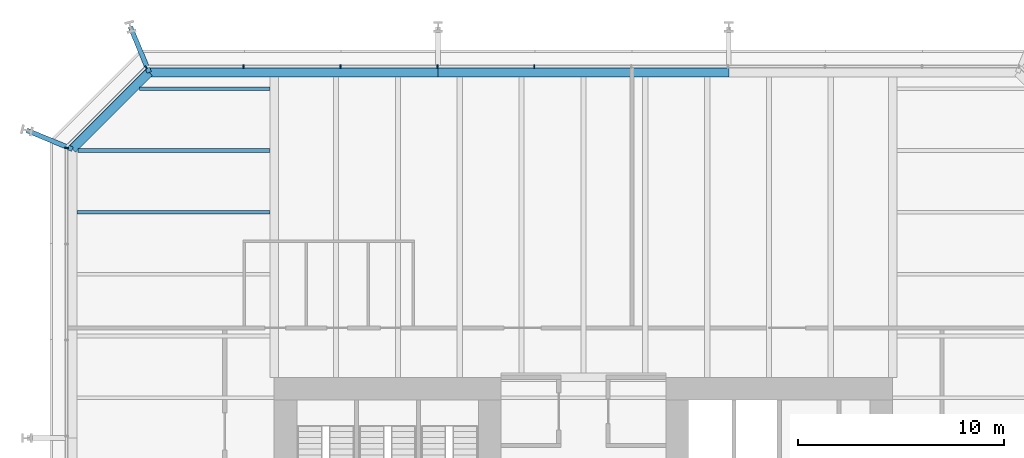
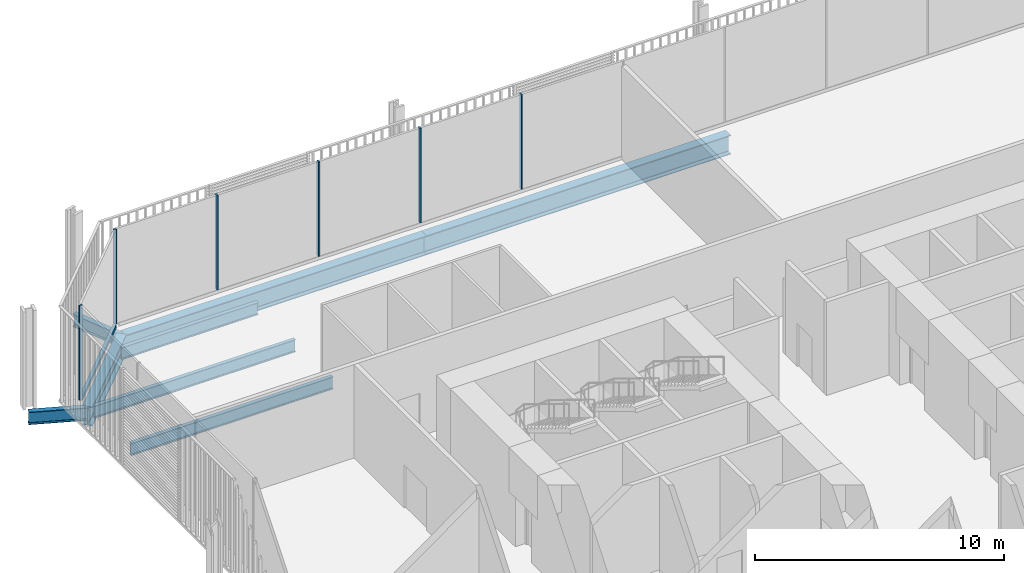
# One storey, part 14 of 25: 8 beams, 7 members, 3 elements without a shape of their own.
"""IFC4 building model written with IfcOpenShell, lengths in metres."""

import ifcopenshell
import ifcopenshell.guid

model = None  # the IFC model being written
_history = None  # IfcOwnerHistory: only IFC2X3 demands one
_inside = {}  # id of a spatial element -> (the spatial element, [elements in it])
_under = {}  # id of a project, library or spatial element -> (it, [spatial elements below it])
_declared = {}  # id of a project -> (the project, [libraries it declares])
_typed = {}  # id of a type object -> (the type object, [elements of that type])
_made_of = {}  # id of a material, layer set ... -> (it, [elements and type objects made of it])


def new_model(schema):
    """Start an empty IFC model of exactly this schema.

    Asked for "IFC4X3", IfcOpenShell would pick the latest addendum, in which some entities
    have other attributes; the version numbers below select the first issue.
    IFC2X3 requires an IfcOwnerHistory on every rooted entity: one is made here for all.
    """
    global model, _history
    if schema == "IFC4X3":
        model = ifcopenshell.file(schema_version=(4, 3, 0, 0))
    else:
        model = ifcopenshell.file(schema=schema)
    _inside.clear()
    _under.clear()
    _declared.clear()
    _typed.clear()
    _made_of.clear()
    _history = None
    if model.schema == "IFC2X3":
        org = make("IfcOrganization", Name="unknown")
        user = make(
            "IfcPersonAndOrganization",
            ThePerson=make("IfcPerson", FamilyName="unknown"),
            TheOrganization=org,
        )
        app = make(
            "IfcApplication",
            ApplicationDeveloper=org,
            Version="unknown",
            ApplicationFullName="unknown",
            ApplicationIdentifier="unknown",
        )
        _history = make(
            "IfcOwnerHistory",
            OwningUser=user,
            OwningApplication=app,
            ChangeAction="ADDED",
            CreationDate=0,
        )
    return model


def make(cls, **values):
    """One entity of the class cls with the attributes given. An attribute that is None is left unset."""
    return model.create_entity(
        cls, **{name: value for name, value in values.items() if value is not None}
    )


def rooted(cls, **values):
    """An entity with a GlobalId (a new one), such as an element, a storey or a relation."""
    return make(cls, GlobalId=ifcopenshell.guid.new(), OwnerHistory=_history, **values)


def si_unit(unit_type, name, prefix=None):
    """IfcSIUnit, for example si_unit("LENGTHUNIT", "METRE", prefix="MILLI")."""
    return make("IfcSIUnit", UnitType=unit_type, Prefix=prefix, Name=name)


def assignment(units):
    """IfcUnitAssignment: the units of a project."""
    return None if units is None else make("IfcUnitAssignment", Units=units)


def point(xyz):
    """IfcCartesianPoint."""
    return None if xyz is None else make("IfcCartesianPoint", Coordinates=xyz)


def direction(xyz):
    """IfcDirection."""
    return None if xyz is None else make("IfcDirection", DirectionRatios=xyz)


def frame(location, z_axis=None, x_axis=None):
    """IfcAxis2Placement3D, a coordinate frame: its origin and axes. An axis left out is left unset."""
    return make(
        "IfcAxis2Placement3D",
        Location=point(location),
        Axis=direction(z_axis),
        RefDirection=direction(x_axis),
    )


def frame_2d(location, x_axis=None):
    """IfcAxis2Placement2D, a coordinate frame in the plane: its origin and x axis."""
    return make(
        "IfcAxis2Placement2D", Location=point(location), RefDirection=direction(x_axis)
    )


def origin():
    """The frame at (0, 0, 0) with its axes left unset."""
    return frame((0.0, 0.0, 0.0))


def origin_2d():
    """The frame at (0, 0) in the plane with its x axis left unset."""
    return frame_2d((0.0, 0.0))


def place(relative_to, where):
    """IfcLocalPlacement: puts the frame where relative to a parent placement (None: the world)."""
    return make(
        "IfcLocalPlacement", PlacementRelTo=relative_to, RelativePlacement=where
    )


def context(
    kind, dimensions, precision=None, world=None, true_north=None, identifier=None
):
    """IfcGeometricRepresentationContext, for example the 3D "Model" context."""
    return make(
        "IfcGeometricRepresentationContext",
        ContextIdentifier=identifier,
        ContextType=kind,
        CoordinateSpaceDimension=dimensions,
        Precision=precision,
        WorldCoordinateSystem=world,
        TrueNorth=true_north,
    )


def subcontext(parent, identifier, kind, view, scale=None):
    """IfcGeometricRepresentationSubContext, for example "Body" below "Model"."""
    return make(
        "IfcGeometricRepresentationSubContext",
        ContextIdentifier=identifier,
        ContextType=kind,
        ParentContext=parent,
        TargetScale=scale,
        TargetView=view,
    )


def project(units=None, contexts=None):
    """IfcProject with its units and contexts."""
    return rooted(
        "IfcProject",
        Name="project",
        RepresentationContexts=contexts,
        UnitsInContext=assignment(units),
    )


def spatial(cls, under=None, at=None, **own):
    """A site, building, storey or space (cls), placed at a placement, below another one or the project."""
    s = rooted(cls, ObjectPlacement=at, **own)
    if under is not None:
        _under.setdefault(under.id(), (under, []))[1].append(s)
    return s


def profile(cls, at=None, kind="AREA", **sizes):
    """A parametric profile (cls). Its sizes go by their IFC names, for example OverallWidth=200.0."""
    return make(cls, ProfileType=kind, Position=at, **sizes)


def rectangle(**sizes):
    """IfcRectangleProfileDef."""
    return profile("IfcRectangleProfileDef", **sizes)


def i_section(**sizes):
    """IfcIShapeProfileDef."""
    return profile("IfcIShapeProfileDef", **sizes)


def extrude(swept, where, along, depth):
    """IfcExtrudedAreaSolid: the profile swept, set in the frame where, extruded along a direction by depth."""
    return make(
        "IfcExtrudedAreaSolid",
        SweptArea=swept,
        Position=where,
        ExtrudedDirection=direction(along),
        Depth=depth,
    )


def shape(context_of_items, identifier, shape_type, items):
    """IfcShapeRepresentation: the items that make up one representation, for example the "Body"."""
    return make(
        "IfcShapeRepresentation",
        ContextOfItems=context_of_items,
        RepresentationIdentifier=identifier,
        RepresentationType=shape_type,
        Items=items,
    )


def material(Name=None, Category=None):
    """IfcMaterial."""
    return make("IfcMaterial", Name=Name, Category=Category)


def layer(
    of_material, thickness, ventilated=None, Name=None, Category=None, Priority=None
):
    """IfcMaterialLayer: one layer of a wall or slab, of a material (None: an air gap)."""
    return make(
        "IfcMaterialLayer",
        Material=of_material,
        LayerThickness=thickness,
        IsVentilated=ventilated,
        Name=Name,
        Category=Category,
        Priority=Priority,
    )


def layer_set(layers, Name=None):
    """IfcMaterialLayerSet."""
    return make("IfcMaterialLayerSet", MaterialLayers=layers, LayerSetName=Name)


def material_profile(
    of_material, cross_section, Name=None, Category=None, Priority=None
):
    """IfcMaterialProfile: a cross section and its material."""
    return make(
        "IfcMaterialProfile",
        Name=Name,
        Material=of_material,
        Profile=cross_section,
        Priority=Priority,
        Category=Category,
    )


def profile_set(profiles, Name=None, composite=None):
    """IfcMaterialProfileSet."""
    return make(
        "IfcMaterialProfileSet",
        Name=Name,
        MaterialProfiles=profiles,
        CompositeProfile=composite,
    )


def made_of(thing, what):
    """Note that an element or type object is made of a material, layer set ...; save() writes the relation."""
    if what is not None:
        _made_of.setdefault(what.id(), (what, []))[1].append(thing)
    return thing


def type_object(cls, material=None, **own):
    """A type object (cls), such as IfcWallType, which elements share."""
    return made_of(rooted(cls, **own), material)


def element(
    cls,
    number,
    at=None,
    inside=None,
    cuts=None,
    type_object=None,
    material=None,
    context=None,
    identifier="Body",
    shape_type=None,
    held_by="IfcProductDefinitionShape",
    body=None,
    shapes=None,
    **own,
):
    """One element of the class cls, such as IfcWall. Its Tag is "e" and its number.

    at: its placement. inside: the storey or other place that contains it. cuts: it is an
    opening in that element (IfcRelVoidsElement). A single representation is given by context,
    identifier, shape_type and body (its items); several are given by shapes. held_by: the class
    of the entity that holds the representations. save() writes the other relations.
    """
    e = rooted(cls, Tag="e%d" % number, ObjectPlacement=at, **own)
    if body is not None:
        shapes = [shape(context, identifier, shape_type, body)]
    if shapes is not None:
        e.Representation = make(held_by, Representations=shapes)
    if inside is not None:
        _inside.setdefault(inside.id(), (inside, []))[1].append(e)
    if cuts is not None:
        rooted(
            "IfcRelVoidsElement", RelatingBuildingElement=cuts, RelatedOpeningElement=e
        )
    if type_object is not None:
        _typed.setdefault(type_object.id(), (type_object, []))[1].append(e)
    return made_of(e, material)


def aggregate(whole, parts):
    """IfcRelAggregates: a whole, such as a stair, and the parts it consists of."""
    return rooted("IfcRelAggregates", RelatingObject=whole, RelatedObjects=parts)


def save(model, path):
    """Write the relations noted so far, then the file.

    IfcRelAggregates (storeys below a building ...), IfcRelContainedInSpatialStructure (elements
    in a storey), IfcRelDefinesByType, IfcRelAssociatesMaterial and IfcRelDeclares: one each for
    every whole, place, type object, material and project.
    """
    for whole, parts in _under.values():
        aggregate(whole, parts)
    for where, things in _inside.values():
        rooted(
            "IfcRelContainedInSpatialStructure",
            RelatedElements=things,
            RelatingStructure=where,
        )
    for kind, things in _typed.values():
        rooted("IfcRelDefinesByType", RelatedObjects=things, RelatingType=kind)
    for what, things in _made_of.values():
        rooted("IfcRelAssociatesMaterial", RelatedObjects=things, RelatingMaterial=what)
    for by, libraries in _declared.values():
        rooted("IfcRelDeclares", RelatingContext=by, RelatedDefinitions=libraries)
    model.write(path)


model = new_model("IFC4")

# Units and contexts
model_context = context("Model", 3, precision=1e-05, world=origin(), true_north=direction((0.0, 1.0)))
body_context = subcontext(model_context, "Body", "Model", "MODEL_VIEW")
ifc_project = project(units=[si_unit("LENGTHUNIT", "METRE"), si_unit("AREAUNIT", "SQUARE_METRE"), si_unit("VOLUMEUNIT", "CUBIC_METRE"), si_unit("PLANEANGLEUNIT", "RADIAN"), si_unit("MASSUNIT", "GRAM", prefix="KILO")], contexts=[model_context])

# Site, building, storey
site_placement = place(None, origin())
site = spatial("IfcSite", under=ifc_project, at=site_placement, CompositionType="ELEMENT")
building_placement = place(site_placement, origin())
building = spatial("IfcBuilding", under=site, at=building_placement, Name="Millrace Tower", CompositionType="ELEMENT")
storey_placement = place(building_placement, frame((0.0, 0.0, 6.5)))
storey = spatial("IfcBuildingStorey", under=building, at=storey_placement, Name="L02", CompositionType="ELEMENT", Elevation=6.5)

# Curtain wall, members
ifc_material_1 = material(Name="Aluminium and glass", Category="aluminium")
ifc_layer = layer(ifc_material_1, 0.14990234375)
ifc_layer_set = layer_set([ifc_layer], Name="Aluminium and glass")
curtain_wall_type = type_object("IfcCurtainWallType", Name="CW-2 data hall insulated curtain wall", PredefinedType="NOTDEFINED", material=ifc_layer_set)
placement = place(storey_placement, origin())
curtain_wall_1 = element("IfcCurtainWall", 1, at=placement, inside=storey, type_object=curtain_wall_type, Name="Curtain wall AW2-F04 L02", PredefinedType="NOTDEFINED")
ifc_material_2 = material(Name="Aluminium", Category="aluminium")
ifc_material_profile_1 = material_profile(ifc_material_2, rectangle(XDim=0.06494140625, YDim=0.14990234375, at=origin_2d()))
ifc_profile_set_1 = profile_set([ifc_material_profile_1], Name="Aluminium")
member_type_1 = type_object("IfcMemberType", Name="CW-2 data hall insulated curtain wall mullion", PredefinedType="MULLION", material=ifc_profile_set_1)
member_1_placement = place(storey_placement, frame((-2.382568359375, 25.074951171875, 0.159912109375), z_axis=(0.0, 0.0, 1.0), x_axis=(-1.0, 0.0, 0.0)))
member_1 = element("IfcMember", 2, at=member_1_placement, type_object=member_type_1, Name="CW2 mullion AW2-F04.6", PredefinedType="MULLION", context=body_context, shape_type="SweptSolid", body=[
    extrude(rectangle(XDim=0.06494140625, YDim=0.14990234375, at=origin_2d()), origin(), (0.0, 0.0, 1.0), 4.64013671875),
])
member_2_placement = place(storey_placement, frame((-7.08251953125, 25.074951171875, 0.159912109375), z_axis=(0.0, 0.0, 1.0), x_axis=(-1.0, 0.0, 0.0)))
member_2 = element("IfcMember", 3, at=member_2_placement, type_object=member_type_1, Name="CW2 mullion AW2-F04.7", PredefinedType="MULLION", context=body_context, shape_type="SweptSolid", body=[
    extrude(rectangle(XDim=0.06494140625, YDim=0.14990234375, at=origin_2d()), origin(), (0.0, 0.0, 1.0), 4.64013671875),
])
member_3_placement = place(storey_placement, frame((-11.782470703125, 25.074951171875, 0.159912109375), z_axis=(0.0, 0.0, 1.0), x_axis=(-1.0, 0.0, 0.0)))
member_3 = element("IfcMember", 4, at=member_3_placement, type_object=member_type_1, Name="CW2 mullion AW2-F04.8", PredefinedType="MULLION", context=body_context, shape_type="SweptSolid", body=[
    extrude(rectangle(XDim=0.06494140625, YDim=0.14990234375, at=origin_2d()), origin(), (0.0, 0.0, 1.0), 4.64013671875),
])
member_4_placement = place(storey_placement, frame((-16.482421875, 25.074951171875, 0.159912109375), z_axis=(0.0, 0.0, 1.0), x_axis=(-1.0, 0.0, 0.0)))
member_4 = element("IfcMember", 5, at=member_4_placement, type_object=member_type_1, Name="CW2 mullion AW2-F04.9", PredefinedType="MULLION", context=body_context, shape_type="SweptSolid", body=[
    extrude(rectangle(XDim=0.06494140625, YDim=0.14990234375, at=origin_2d()), origin(), (0.0, 0.0, 1.0), 4.64013671875),
])
aggregate(curtain_wall_1, [member_1, member_2, member_3, member_4])

# Curtain wall, member
curtain_wall_2 = element("IfcCurtainWall", 6, at=placement, inside=storey, type_object=curtain_wall_type, Name="Curtain wall AW2-F05 L02", PredefinedType="NOTDEFINED")
member_5_placement = place(storey_placement, frame((-21.22607421875, 25.030029296875, 0.159912109375), z_axis=(0.0, 0.0, 1.0), x_axis=(-0.707106781187, -0.707106781187, 0.0)))
member_5 = element("IfcMember", 7, at=member_5_placement, type_object=member_type_1, Name="CW2 mullion AW2-F05.1", PredefinedType="MULLION", context=body_context, shape_type="SweptSolid", body=[
    extrude(rectangle(XDim=0.06494140625, YDim=0.14990234375, at=origin_2d()), origin(), (0.0, 0.0, 1.0), 4.64013671875),
])

curtain_wall_3 = element("IfcCurtainWall", 8, at=placement, inside=storey, type_object=curtain_wall_type, Name="Curtain wall AW2-F06 L02", PredefinedType="NOTDEFINED")
member_6_placement = place(storey_placement, frame((-25.074951171875, 21.117431640625, 0.159912109375), z_axis=(0.0, 0.0, 1.0), x_axis=(0.0, -1.0, 0.0)))
member_6 = element("IfcMember", 9, at=member_6_placement, type_object=member_type_1, Name="CW2 mullion AW2-F06.1", PredefinedType="MULLION", context=body_context, shape_type="SweptSolid", body=[
    extrude(rectangle(XDim=0.06494140625, YDim=0.14990234375, at=origin_2d()), origin(), (0.0, 0.0, 1.0), 4.64013671875),
])
aggregate(curtain_wall_3, [member_6])

# Member
ifc_material_3 = material(Name="Aluminium", Category="aluminium")
ifc_material_profile_2 = material_profile(ifc_material_3, rectangle(XDim=0.14990234375, YDim=0.159912109375, at=origin_2d()))
ifc_profile_set_2 = profile_set([ifc_material_profile_2], Name="Aluminium")
member_type_2 = type_object("IfcMemberType", Name="CW-2 data hall insulated curtain wall transom", PredefinedType="USERDEFINED", material=ifc_profile_set_2)
member_7_placement = place(storey_placement, frame((-21.273681640625, 24.982421875, 0.080078125), z_axis=(-0.707106781187, -0.707106781187, 0.0), x_axis=(0.707106781187, -0.707106781187, 0.0)))
member_7 = element("IfcMember", 10, at=member_7_placement, type_object=member_type_2, Name="CW2 transom AW2-F05.1", ObjectType="TRANSOM", PredefinedType="USERDEFINED", context=body_context, shape_type="SweptSolid", body=[
    extrude(rectangle(XDim=0.14990234375, YDim=0.159912109375, at=origin_2d()), origin(), (0.0, 0.0, 1.0), 5.244873046875),
])

aggregate(curtain_wall_2, [member_5, member_7])

# Beams
ifc_material_4 = material(Name="Steel ASTM A992 Grade 50", Category="steel")
ifc_material_profile_3 = material_profile(ifc_material_4, i_section(OverallWidth=0.177978515625, OverallDepth=0.599365234375, WebThickness=0.010009765625, FlangeThickness=0.012939453125, FilletRadius=0.012939453125, at=origin_2d()))
ifc_profile_set_3 = profile_set([ifc_material_profile_3], Name="Steel ASTM A992 Grade 50")
beam_type_1 = type_object("IfcBeamType", Name="Floor beam W24x55", PredefinedType="JOIST", material=ifc_profile_set_3)
beam_1_placement = place(storey_placement, frame((-21.52978515625, 24.0, -0.524658203125), z_axis=(1.0, 0.0, 0.0), x_axis=(0.0, 1.0, 0.0)))
element("IfcBeam", 11, at=beam_1_placement, inside=storey, type_object=beam_type_1, Name="BM-A-L02-S1-S050", PredefinedType="JOIST", context=body_context, shape_type="SweptSolid", body=[
    extrude(i_section(OverallWidth=0.177978515625, OverallDepth=0.599365234375, WebThickness=0.010009765625, FlangeThickness=0.012939453125, FilletRadius=0.012939453125, at=origin_2d()), origin(), (0.0, 0.0, 1.0), 6.317626953125),
])
ifc_material_5 = material(Name="Steel ASTM A992 Grade 50", Category="steel")
ifc_material_profile_4 = material_profile(ifc_material_5, i_section(OverallWidth=0.1787109375, OverallDepth=0.60205078125, WebThickness=0.010986328125, FlangeThickness=0.014892578125, FilletRadius=0.0126953125, at=origin_2d()))
ifc_profile_set_4 = profile_set([ifc_material_profile_4], Name="Steel ASTM A992 Grade 50")
beam_type_2 = type_object("IfcBeamType", Name="Floor beam W24x62", PredefinedType="JOIST", material=ifc_profile_set_4)
beam_2_placement = place(storey_placement, frame((-24.578369140625, 18.0, -0.52587890625), z_axis=(1.0, 0.0, 0.0), x_axis=(0.0, 1.0, 0.0)))
element("IfcBeam", 12, at=beam_2_placement, inside=storey, type_object=beam_type_2, Name="BM-A-L02-S1-S046", PredefinedType="JOIST", context=body_context, shape_type="SweptSolid", body=[
    extrude(i_section(OverallWidth=0.1787109375, OverallDepth=0.60205078125, WebThickness=0.010986328125, FlangeThickness=0.014892578125, FilletRadius=0.0126953125, at=origin_2d()), origin(), (0.0, 0.0, 1.0), 9.3662109375),
])
beam_3_placement = place(storey_placement, frame((-24.52978515625, 21.0, -0.52587890625), z_axis=(1.0, 0.0, 0.0), x_axis=(0.0, 1.0, 0.0)))
element("IfcBeam", 13, at=beam_3_placement, inside=storey, type_object=beam_type_2, Name="BM-A-L02-S1-S048", PredefinedType="JOIST", context=body_context, shape_type="SweptSolid", body=[
    extrude(i_section(OverallWidth=0.1787109375, OverallDepth=0.60205078125, WebThickness=0.010986328125, FlangeThickness=0.014892578125, FilletRadius=0.0126953125, at=origin_2d()), origin(), (0.0, 0.0, 1.0), 9.317626953125),
])
ifc_material_6 = material(Name="Steel ASTM A992 Grade 50", Category="steel")
ifc_material_profile_5 = material_profile(ifc_material_6, i_section(OverallWidth=0.23046875, OverallDepth=0.6171875, WebThickness=0.01318359375, FlangeThickness=0.022216796875, FilletRadius=0.012939453125, at=origin_2d()))
ifc_profile_set_5 = profile_set([ifc_material_profile_5], Name="Steel ASTM A992 Grade 50")
beam_type_3 = type_object("IfcBeamType", Name="Link beam W24x94", PredefinedType="BEAM", material=ifc_profile_set_5)
for number, where, z_axis, x_axis, name in (
    (14, (-24.7890625, 21.062744140625, -0.53369140625), (-0.923883789366, 0.382673155247, 0.0), (-0.382673155247, -0.923883789366, 0.0), "LNK-A-L02-S1-05"),
    (15, (-21.062744140625, 24.7890625, -0.53369140625), (-0.382673155247, 0.923883789366, 0.0), (-0.923883789366, -0.382673155247, 0.0), "LNK-A-L02-S1-06"),
):
    element("IfcBeam", number, at=place(storey_placement, frame(where, z_axis=z_axis, x_axis=x_axis)), inside=storey, type_object=beam_type_3, Name=name, PredefinedType="BEAM", context=body_context, shape_type="SweptSolid", body=[
        extrude(i_section(OverallWidth=0.23046875, OverallDepth=0.6171875, WebThickness=0.01318359375, FlangeThickness=0.022216796875, FilletRadius=0.012939453125, at=origin_2d()), origin(), (0.0, 0.0, 1.0), 2.39306640625),
    ])
ifc_material_7 = material(Name="Steel ASTM A992 Grade 50", Category="steel")
ifc_material_profile_6 = material_profile(ifc_material_7, i_section(OverallWidth=0.421630859375, OverallDepth=0.937255859375, WebThickness=0.021240234375, FlangeThickness=0.03662109375, FilletRadius=0.024169921875, at=origin_2d()))
ifc_profile_set_6 = profile_set([ifc_material_profile_6], Name="Steel ASTM A992 Grade 50")
beam_type_4 = type_object("IfcBeamType", Name="Ring beam medium span W36x262", PredefinedType="SPANDREL", material=ifc_profile_set_6)
beam_4_placement = place(storey_placement, frame((-21.062744140625, 24.7890625, -0.693603515625), z_axis=(1.0, 0.0, 0.0), x_axis=(0.0, 1.0, 0.0)))
element("IfcBeam", 16, at=beam_4_placement, inside=storey, type_object=beam_type_4, Name="RNG-A-L02-S1-06", PredefinedType="SPANDREL", context=body_context, shape_type="SweptSolid", body=[
    extrude(i_section(OverallWidth=0.421630859375, OverallDepth=0.937255859375, WebThickness=0.021240234375, FlangeThickness=0.03662109375, FilletRadius=0.024169921875, at=origin_2d()), origin(), (0.0, 0.0, 1.0), 14.0126953125),
])
beam_5_placement = place(storey_placement, frame((-7.050048828125, 24.7890625, -0.693603515625), z_axis=(1.0, 0.0, 0.0), x_axis=(0.0, 1.0, 0.0)))
element("IfcBeam", 17, at=beam_5_placement, inside=storey, type_object=beam_type_4, Name="RNG-A-L02-S1-07", PredefinedType="SPANDREL", context=body_context, shape_type="SweptSolid", body=[
    extrude(i_section(OverallWidth=0.421630859375, OverallDepth=0.937255859375, WebThickness=0.021240234375, FlangeThickness=0.03662109375, FilletRadius=0.024169921875, at=origin_2d()), origin(), (0.0, 0.0, 1.0), 14.10009765625),
])
ifc_material_8 = material(Name="Steel ASTM A992 Grade 50", Category="steel")
ifc_material_profile_7 = material_profile(ifc_material_8, i_section(OverallWidth=0.421630859375, OverallDepth=0.937255859375, WebThickness=0.021240234375, FlangeThickness=0.03662109375, FilletRadius=0.024169921875, at=origin_2d()))
ifc_profile_set_7 = profile_set([ifc_material_profile_7], Name="Steel ASTM A992 Grade 50")
beam_type_5 = type_object("IfcBeamType", Name="Ring beam short span W36x262", PredefinedType="SPANDREL", material=ifc_profile_set_7)
beam_6_placement = place(storey_placement, frame((-24.7890625, 21.062744140625, -0.693603515625), z_axis=(0.707106781187, 0.707106781187, 0.0), x_axis=(-0.707106781187, 0.707106781187, 0.0)))
element("IfcBeam", 18, at=beam_6_placement, inside=storey, type_object=beam_type_5, Name="RNG-A-L02-S1-05", PredefinedType="SPANDREL", context=body_context, shape_type="SweptSolid", body=[
    extrude(i_section(OverallWidth=0.421630859375, OverallDepth=0.937255859375, WebThickness=0.021240234375, FlangeThickness=0.03662109375, FilletRadius=0.024169921875, at=origin_2d()), origin(), (0.0, 0.0, 1.0), 5.269775390625),
])

save(model, "model.ifc")
